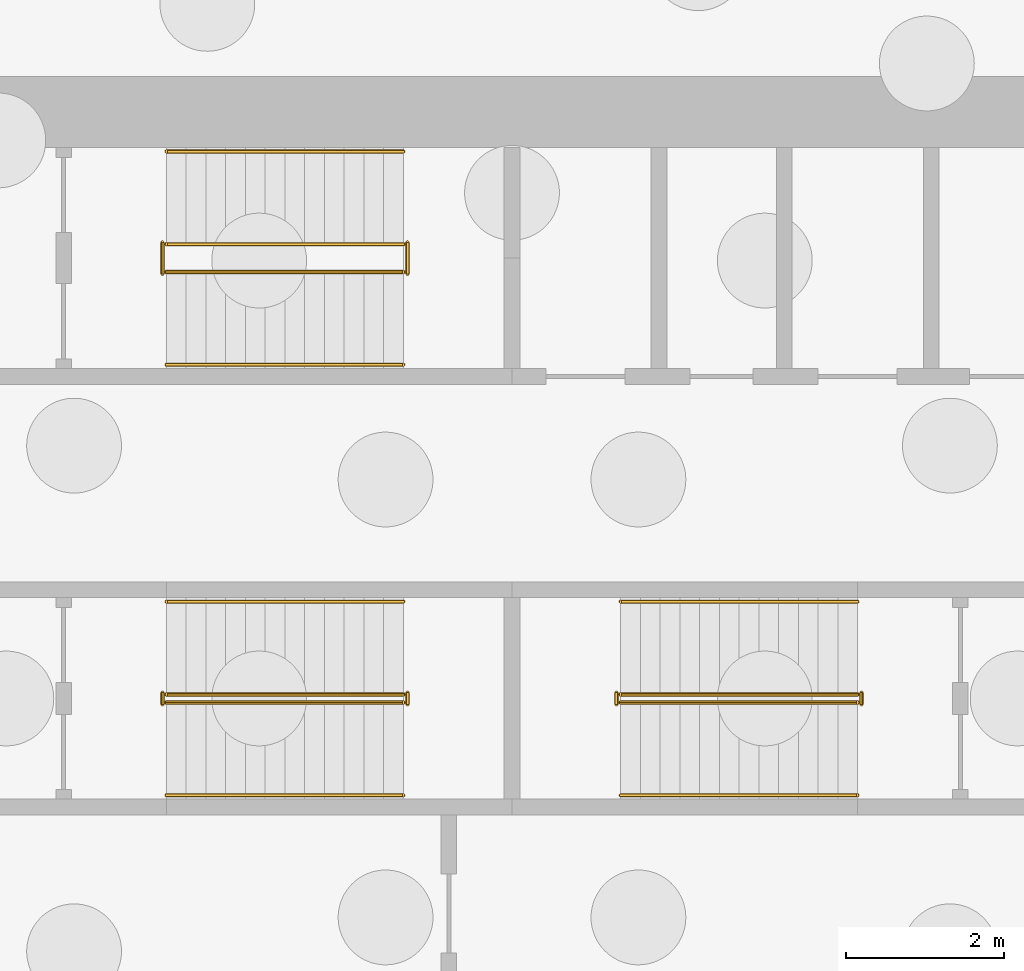
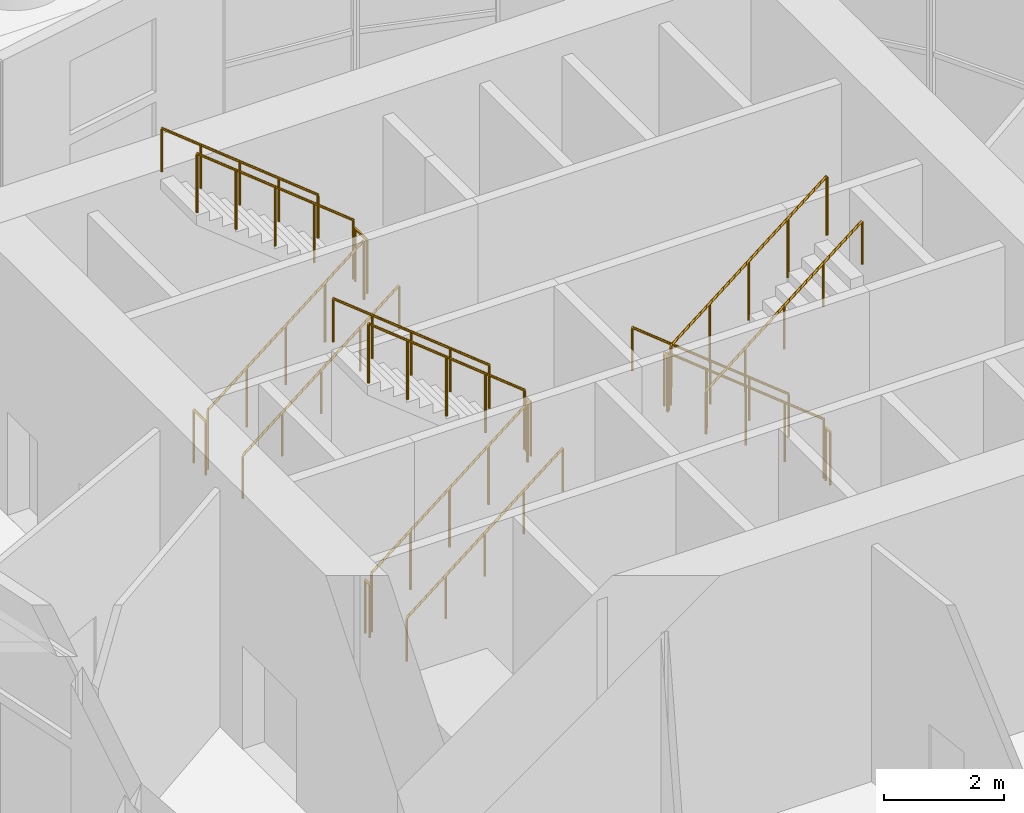
# One storey, part 9 of 10: 18 railings.
"""IFC4 building model written with IfcOpenShell, lengths in metres."""

from ifc_helpers import new_model, si_unit, direction, frame, origin, origin_2d, place, context, subcontext, project, spatial, circle, extrude, material, type_object, element, save


model = new_model("IFC4")

# Units and contexts
model_context = context("Model", 3, precision=1e-05, world=origin(), true_north=direction((0.0, 1.0)))
body_context = subcontext(model_context, "Body", "Model", "MODEL_VIEW")
ifc_project = project(units=[si_unit("LENGTHUNIT", "METRE"), si_unit("AREAUNIT", "SQUARE_METRE"), si_unit("VOLUMEUNIT", "CUBIC_METRE"), si_unit("PLANEANGLEUNIT", "RADIAN"), si_unit("MASSUNIT", "GRAM", prefix="KILO")], contexts=[model_context])

# Site, building, storey
site_placement = place(None, origin())
site = spatial("IfcSite", under=ifc_project, at=site_placement, CompositionType="ELEMENT")
building_placement = place(site_placement, origin())
building = spatial("IfcBuilding", under=site, at=building_placement, Name="Polderwave Tower", CompositionType="ELEMENT")
storey_placement = place(building_placement, origin())
storey = spatial("IfcBuildingStorey", under=building, at=storey_placement, Name="L00", CompositionType="ELEMENT", Elevation=0.0)

# Railings
ifc_material = material(Name="Stainless steel", Category="steel")
railing_type_1 = type_object("IfcRailingType", Name="Stair guard 1100", PredefinedType="GUARDRAIL", material=ifc_material)
railing_1_placement = place(storey_placement, frame((-4.3740234375, -0.051025390625, 0.079833984375)))
element("IfcRailing", 1, at=railing_1_placement, inside=storey, type_object=railing_type_1, Name="L00 ST-A stair guard 1", PredefinedType="GUARDRAIL", context=body_context, shape_type="SweptSolid", body=[
    extrude(circle(Radius=0.02392578125, at=origin_2d()), frame((0.0, 0.0, 1.1962890625), z_axis=(0.78085021034, 0.0, 0.624718295724), x_axis=(0.0, 1.0, 0.0)), (0.0, 0.0, 1.0), 3.842041015625),
    extrude(circle(Radius=0.02392578125, at=origin_2d()), origin(), (0.0, 0.0, 1.0), 1.172119140625),
    extrude(circle(Radius=0.02392578125, at=origin_2d()), frame((0.75, 0.0, 0.60009765625)), (0.0, 0.0, 1.0), 1.172119140625),
    extrude(circle(Radius=0.02392578125, at=origin_2d()), frame((1.5, 0.0, 1.2001953125)), (0.0, 0.0, 1.0), 1.172119140625),
    extrude(circle(Radius=0.02392578125, at=origin_2d()), frame((2.25, 0.0, 1.800048828125)), (0.0, 0.0, 1.0), 1.172119140625),
    extrude(circle(Radius=0.02392578125, at=origin_2d()), frame((3.0, 0.0, 2.400146484375)), (0.0, 0.0, 1.0), 1.172119140625),
])
railing_2_placement = place(storey_placement, frame((-1.323974609375, -0.074951171875, 2.60009765625)))
element("IfcRailing", 2, at=railing_2_placement, inside=storey, type_object=railing_type_1, Name="L00 ST-A stair guard 2", PredefinedType="GUARDRAIL", context=body_context, shape_type="SweptSolid", body=[
    extrude(circle(Radius=0.02392578125, at=origin_2d()), frame((0.0, 0.0, 1.076171875), z_axis=(0.0, 1.0, 0.0), x_axis=(-1.0, 0.0, 0.0)), (0.0, 0.0, 1.0), 0.14990234375),
    extrude(circle(Radius=0.02099609375, at=origin_2d()), origin(), (0.0, 0.0, 1.0), 1.052001953125),
    extrude(circle(Radius=0.02099609375, at=origin_2d()), frame((0.0, 0.14990234375, 0.0)), (0.0, 0.0, 1.0), 1.052001953125),
])
railing_3_placement = place(storey_placement, frame((-1.3740234375, 0.051025390625, 2.679931640625)))
element("IfcRailing", 3, at=railing_3_placement, inside=storey, type_object=railing_type_1, Name="L00 ST-A stair guard 3", PredefinedType="GUARDRAIL", context=body_context, shape_type="SweptSolid", body=[
    extrude(circle(Radius=0.02392578125, at=origin_2d()), frame((0.0, 0.0, 1.1962890625), z_axis=(-0.780881208953, 0.0, 0.624679547852), x_axis=(0.0, -1.0, 0.0)), (0.0, 0.0, 1.0), 3.841796875),
    extrude(circle(Radius=0.02392578125, at=origin_2d()), origin(), (0.0, 0.0, 1.0), 1.172119140625),
    extrude(circle(Radius=0.02392578125, at=origin_2d()), frame((-0.75, 0.0, 0.60009765625)), (0.0, 0.0, 1.0), 1.172119140625),
    extrude(circle(Radius=0.02392578125, at=origin_2d()), frame((-1.5, 0.0, 1.199951171875)), (0.0, 0.0, 1.0), 1.172119140625),
    extrude(circle(Radius=0.02392578125, at=origin_2d()), frame((-2.25, 0.0, 1.7998046875)), (0.0, 0.0, 1.0), 1.172119140625),
    extrude(circle(Radius=0.02392578125, at=origin_2d()), frame((-3.0, 0.0, 2.39990234375)), (0.0, 0.0, 1.0), 1.172119140625),
])
railing_4_placement = place(storey_placement, frame((-4.424072265625, -0.074951171875, 0.0)))
element("IfcRailing", 4, at=railing_4_placement, inside=storey, type_object=railing_type_1, Name="L00 ST-A stair guard 4", PredefinedType="GUARDRAIL", context=body_context, shape_type="SweptSolid", body=[
    extrude(circle(Radius=0.02392578125, at=origin_2d()), frame((0.0, 0.0, 1.076171875), z_axis=(0.0, 1.0, 0.0), x_axis=(-1.0, 0.0, 0.0)), (0.0, 0.0, 1.0), 0.14990234375),
    extrude(circle(Radius=0.02099609375, at=origin_2d()), origin(), (0.0, 0.0, 1.0), 1.052001953125),
    extrude(circle(Radius=0.02099609375, at=origin_2d()), frame((0.0, 0.14990234375, 0.0)), (0.0, 0.0, 1.0), 1.052001953125),
])
railing_5_placement = place(storey_placement, frame((4.3740234375, 0.051025390625, 0.079833984375)))
element("IfcRailing", 5, at=railing_5_placement, inside=storey, type_object=railing_type_1, Name="L00 ST-B stair guard 1", PredefinedType="GUARDRAIL", context=body_context, shape_type="SweptSolid", body=[
    extrude(circle(Radius=0.02392578125, at=origin_2d()), frame((0.0, 0.0, 1.1962890625), z_axis=(-0.78085021034, 0.0, 0.624718295724), x_axis=(0.0, -1.0, 0.0)), (0.0, 0.0, 1.0), 3.842041015625),
    extrude(circle(Radius=0.02392578125, at=origin_2d()), origin(), (0.0, 0.0, 1.0), 1.172119140625),
    extrude(circle(Radius=0.02392578125, at=origin_2d()), frame((-0.75, 0.0, 0.60009765625)), (0.0, 0.0, 1.0), 1.172119140625),
    extrude(circle(Radius=0.02392578125, at=origin_2d()), frame((-1.5, 0.0, 1.2001953125)), (0.0, 0.0, 1.0), 1.172119140625),
    extrude(circle(Radius=0.02392578125, at=origin_2d()), frame((-2.25, 0.0, 1.800048828125)), (0.0, 0.0, 1.0), 1.172119140625),
    extrude(circle(Radius=0.02392578125, at=origin_2d()), frame((-3.0, 0.0, 2.400146484375)), (0.0, 0.0, 1.0), 1.172119140625),
])
railing_6_placement = place(storey_placement, frame((1.323974609375, 0.074951171875, 2.60009765625)))
element("IfcRailing", 6, at=railing_6_placement, inside=storey, type_object=railing_type_1, Name="L00 ST-B stair guard 2", PredefinedType="GUARDRAIL", context=body_context, shape_type="SweptSolid", body=[
    extrude(circle(Radius=0.02392578125, at=origin_2d()), frame((0.0, 0.0, 1.076171875), z_axis=(0.0, -1.0, 0.0), x_axis=(1.0, 0.0, 0.0)), (0.0, 0.0, 1.0), 0.14990234375),
    extrude(circle(Radius=0.02099609375, at=origin_2d()), origin(), (0.0, 0.0, 1.0), 1.052001953125),
    extrude(circle(Radius=0.02099609375, at=origin_2d()), frame((0.0, -0.14990234375, 0.0)), (0.0, 0.0, 1.0), 1.052001953125),
])
railing_7_placement = place(storey_placement, frame((1.3740234375, -0.051025390625, 2.679931640625)))
element("IfcRailing", 7, at=railing_7_placement, inside=storey, type_object=railing_type_1, Name="L00 ST-B stair guard 3", PredefinedType="GUARDRAIL", context=body_context, shape_type="SweptSolid", body=[
    extrude(circle(Radius=0.02392578125, at=origin_2d()), frame((0.0, 0.0, 1.1962890625), z_axis=(0.780881208953, 0.0, 0.624679547852), x_axis=(0.0, 1.0, 0.0)), (0.0, 0.0, 1.0), 3.841796875),
    extrude(circle(Radius=0.02392578125, at=origin_2d()), origin(), (0.0, 0.0, 1.0), 1.172119140625),
    extrude(circle(Radius=0.02392578125, at=origin_2d()), frame((0.75, 0.0, 0.60009765625)), (0.0, 0.0, 1.0), 1.172119140625),
    extrude(circle(Radius=0.02392578125, at=origin_2d()), frame((1.5, 0.0, 1.199951171875)), (0.0, 0.0, 1.0), 1.172119140625),
    extrude(circle(Radius=0.02392578125, at=origin_2d()), frame((2.25, 0.0, 1.7998046875)), (0.0, 0.0, 1.0), 1.172119140625),
    extrude(circle(Radius=0.02392578125, at=origin_2d()), frame((3.0, 0.0, 2.39990234375)), (0.0, 0.0, 1.0), 1.172119140625),
])
railing_8_placement = place(storey_placement, frame((4.424072265625, 0.074951171875, 0.0)))
element("IfcRailing", 8, at=railing_8_placement, inside=storey, type_object=railing_type_1, Name="L00 ST-B stair guard 4", PredefinedType="GUARDRAIL", context=body_context, shape_type="SweptSolid", body=[
    extrude(circle(Radius=0.02392578125, at=origin_2d()), frame((0.0, 0.0, 1.076171875), z_axis=(0.0, -1.0, 0.0), x_axis=(1.0, 0.0, 0.0)), (0.0, 0.0, 1.0), 0.14990234375),
    extrude(circle(Radius=0.02099609375, at=origin_2d()), origin(), (0.0, 0.0, 1.0), 1.052001953125),
    extrude(circle(Radius=0.02099609375, at=origin_2d()), frame((0.0, -0.14990234375, 0.0)), (0.0, 0.0, 1.0), 1.052001953125),
])
railing_9_placement = place(storey_placement, frame((-4.3740234375, 5.39794921875, 0.079833984375)))
element("IfcRailing", 9, at=railing_9_placement, inside=storey, type_object=railing_type_1, Name="L00 ST-C stair guard 1", PredefinedType="GUARDRAIL", context=body_context, shape_type="SweptSolid", body=[
    extrude(circle(Radius=0.02392578125, at=origin_2d()), frame((0.0, 0.0, 1.1962890625), z_axis=(0.78085021034, 0.0, 0.624718295724), x_axis=(0.0, 1.0, 0.0)), (0.0, 0.0, 1.0), 3.842041015625),
    extrude(circle(Radius=0.02392578125, at=origin_2d()), origin(), (0.0, 0.0, 1.0), 1.172119140625),
    extrude(circle(Radius=0.02392578125, at=origin_2d()), frame((0.75, 0.0, 0.60009765625)), (0.0, 0.0, 1.0), 1.172119140625),
    extrude(circle(Radius=0.02392578125, at=origin_2d()), frame((1.5, 0.0, 1.2001953125)), (0.0, 0.0, 1.0), 1.172119140625),
    extrude(circle(Radius=0.02392578125, at=origin_2d()), frame((2.25, 0.0, 1.800048828125)), (0.0, 0.0, 1.0), 1.172119140625),
    extrude(circle(Radius=0.02392578125, at=origin_2d()), frame((3.0, 0.0, 2.400146484375)), (0.0, 0.0, 1.0), 1.172119140625),
])
railing_10_placement = place(storey_placement, frame((-1.323974609375, 5.3740234375, 2.60009765625)))
element("IfcRailing", 10, at=railing_10_placement, inside=storey, type_object=railing_type_1, Name="L00 ST-C stair guard 2", PredefinedType="GUARDRAIL", context=body_context, shape_type="SweptSolid", body=[
    extrude(circle(Radius=0.02392578125, at=origin_2d()), frame((0.0, 0.0, 1.076171875), z_axis=(0.0, 1.0, 0.0), x_axis=(-1.0, 0.0, 0.0)), (0.0, 0.0, 1.0), 0.39990234375),
    extrude(circle(Radius=0.02099609375, at=origin_2d()), origin(), (0.0, 0.0, 1.0), 1.052001953125),
    extrude(circle(Radius=0.02099609375, at=origin_2d()), frame((0.0, 0.39990234375, 0.0)), (0.0, 0.0, 1.0), 1.052001953125),
])
railing_11_placement = place(storey_placement, frame((-1.3740234375, 5.75, 2.679931640625)))
element("IfcRailing", 11, at=railing_11_placement, inside=storey, type_object=railing_type_1, Name="L00 ST-C stair guard 3", PredefinedType="GUARDRAIL", context=body_context, shape_type="SweptSolid", body=[
    extrude(circle(Radius=0.02392578125, at=origin_2d()), frame((0.0, 0.0, 1.1962890625), z_axis=(-0.780881208953, 0.0, 0.624679547852), x_axis=(0.0, -1.0, 0.0)), (0.0, 0.0, 1.0), 3.841796875),
    extrude(circle(Radius=0.02392578125, at=origin_2d()), origin(), (0.0, 0.0, 1.0), 1.172119140625),
    extrude(circle(Radius=0.02392578125, at=origin_2d()), frame((-0.75, 0.0, 0.60009765625)), (0.0, 0.0, 1.0), 1.172119140625),
    extrude(circle(Radius=0.02392578125, at=origin_2d()), frame((-1.5, 0.0, 1.199951171875)), (0.0, 0.0, 1.0), 1.172119140625),
    extrude(circle(Radius=0.02392578125, at=origin_2d()), frame((-2.25, 0.0, 1.7998046875)), (0.0, 0.0, 1.0), 1.172119140625),
    extrude(circle(Radius=0.02392578125, at=origin_2d()), frame((-3.0, 0.0, 2.39990234375)), (0.0, 0.0, 1.0), 1.172119140625),
])
railing_12_placement = place(storey_placement, frame((-4.424072265625, 5.3740234375, 0.0)))
element("IfcRailing", 12, at=railing_12_placement, inside=storey, type_object=railing_type_1, Name="L00 ST-C stair guard 4", PredefinedType="GUARDRAIL", context=body_context, shape_type="SweptSolid", body=[
    extrude(circle(Radius=0.02392578125, at=origin_2d()), frame((0.0, 0.0, 1.076171875), z_axis=(0.0, 1.0, 0.0), x_axis=(-1.0, 0.0, 0.0)), (0.0, 0.0, 1.0), 0.39990234375),
    extrude(circle(Radius=0.02099609375, at=origin_2d()), origin(), (0.0, 0.0, 1.0), 1.052001953125),
    extrude(circle(Radius=0.02099609375, at=origin_2d()), frame((0.0, 0.39990234375, 0.0)), (0.0, 0.0, 1.0), 1.052001953125),
])
railing_type_2 = type_object("IfcRailingType", Name="Stair handrail 900", PredefinedType="HANDRAIL", material=ifc_material)
railing_13_placement = place(storey_placement, frame((-4.3740234375, -1.22509765625, 0.199951171875)))
element("IfcRailing", 13, at=railing_13_placement, inside=storey, type_object=railing_type_2, Name="L00 ST-A stair handrail 1", PredefinedType="HANDRAIL", context=body_context, shape_type="SweptSolid", body=[
    extrude(circle(Radius=0.02392578125, at=origin_2d()), frame((0.0, 0.0, 0.8759765625), z_axis=(0.78085021034, 0.0, 0.624718295724), x_axis=(0.0, 1.0, 0.0)), (0.0, 0.0, 1.0), 3.842041015625),
    extrude(circle(Radius=0.02099609375, at=origin_2d()), origin(), (0.0, 0.0, 1.0), 0.851806640625),
    extrude(circle(Radius=0.02099609375, at=origin_2d()), frame((0.75, 0.0, 0.60009765625)), (0.0, 0.0, 1.0), 0.851806640625),
    extrude(circle(Radius=0.02099609375, at=origin_2d()), frame((1.5, 0.0, 1.2001953125)), (0.0, 0.0, 1.0), 0.851806640625),
    extrude(circle(Radius=0.02099609375, at=origin_2d()), frame((2.25, 0.0, 1.800048828125)), (0.0, 0.0, 1.0), 0.851806640625),
    extrude(circle(Radius=0.02099609375, at=origin_2d()), frame((3.0, 0.0, 2.400146484375)), (0.0, 0.0, 1.0), 0.851806640625),
])
railing_14_placement = place(storey_placement, frame((-1.3740234375, 1.22509765625, 2.800048828125)))
element("IfcRailing", 14, at=railing_14_placement, inside=storey, type_object=railing_type_2, Name="L00 ST-A stair handrail 2", PredefinedType="HANDRAIL", context=body_context, shape_type="SweptSolid", body=[
    extrude(circle(Radius=0.02392578125, at=origin_2d()), frame((0.0, 0.0, 0.8759765625), z_axis=(-0.780881208953, 0.0, 0.624679547852), x_axis=(0.0, -1.0, 0.0)), (0.0, 0.0, 1.0), 3.841796875),
    extrude(circle(Radius=0.02099609375, at=origin_2d()), origin(), (0.0, 0.0, 1.0), 0.851806640625),
    extrude(circle(Radius=0.02099609375, at=origin_2d()), frame((-0.75, 0.0, 0.60009765625)), (0.0, 0.0, 1.0), 0.851806640625),
    extrude(circle(Radius=0.02099609375, at=origin_2d()), frame((-1.5, 0.0, 1.199951171875)), (0.0, 0.0, 1.0), 0.851806640625),
    extrude(circle(Radius=0.02099609375, at=origin_2d()), frame((-2.25, 0.0, 1.7998046875)), (0.0, 0.0, 1.0), 0.851806640625),
    extrude(circle(Radius=0.02099609375, at=origin_2d()), frame((-3.0, 0.0, 2.39990234375)), (0.0, 0.0, 1.0), 0.851806640625),
])
railing_15_placement = place(storey_placement, frame((4.3740234375, 1.22509765625, 0.199951171875)))
element("IfcRailing", 15, at=railing_15_placement, inside=storey, type_object=railing_type_2, Name="L00 ST-B stair handrail 1", PredefinedType="HANDRAIL", context=body_context, shape_type="SweptSolid", body=[
    extrude(circle(Radius=0.02392578125, at=origin_2d()), frame((0.0, 0.0, 0.8759765625), z_axis=(-0.78085021034, 0.0, 0.624718295724), x_axis=(0.0, -1.0, 0.0)), (0.0, 0.0, 1.0), 3.842041015625),
    extrude(circle(Radius=0.02099609375, at=origin_2d()), origin(), (0.0, 0.0, 1.0), 0.851806640625),
    extrude(circle(Radius=0.02099609375, at=origin_2d()), frame((-0.75, 0.0, 0.60009765625)), (0.0, 0.0, 1.0), 0.851806640625),
    extrude(circle(Radius=0.02099609375, at=origin_2d()), frame((-1.5, 0.0, 1.2001953125)), (0.0, 0.0, 1.0), 0.851806640625),
    extrude(circle(Radius=0.02099609375, at=origin_2d()), frame((-2.25, 0.0, 1.800048828125)), (0.0, 0.0, 1.0), 0.851806640625),
    extrude(circle(Radius=0.02099609375, at=origin_2d()), frame((-3.0, 0.0, 2.400146484375)), (0.0, 0.0, 1.0), 0.851806640625),
])
railing_16_placement = place(storey_placement, frame((1.3740234375, -1.22509765625, 2.800048828125)))
element("IfcRailing", 16, at=railing_16_placement, inside=storey, type_object=railing_type_2, Name="L00 ST-B stair handrail 2", PredefinedType="HANDRAIL", context=body_context, shape_type="SweptSolid", body=[
    extrude(circle(Radius=0.02392578125, at=origin_2d()), frame((0.0, 0.0, 0.8759765625), z_axis=(0.780881208953, 0.0, 0.624679547852), x_axis=(0.0, 1.0, 0.0)), (0.0, 0.0, 1.0), 3.841796875),
    extrude(circle(Radius=0.02099609375, at=origin_2d()), origin(), (0.0, 0.0, 1.0), 0.851806640625),
    extrude(circle(Radius=0.02099609375, at=origin_2d()), frame((0.75, 0.0, 0.60009765625)), (0.0, 0.0, 1.0), 0.851806640625),
    extrude(circle(Radius=0.02099609375, at=origin_2d()), frame((1.5, 0.0, 1.199951171875)), (0.0, 0.0, 1.0), 0.851806640625),
    extrude(circle(Radius=0.02099609375, at=origin_2d()), frame((2.25, 0.0, 1.7998046875)), (0.0, 0.0, 1.0), 0.851806640625),
    extrude(circle(Radius=0.02099609375, at=origin_2d()), frame((3.0, 0.0, 2.39990234375)), (0.0, 0.0, 1.0), 0.851806640625),
])
railing_17_placement = place(storey_placement, frame((-4.3740234375, 4.22412109375, 0.199951171875)))
element("IfcRailing", 17, at=railing_17_placement, inside=storey, type_object=railing_type_2, Name="L00 ST-C stair handrail 1", PredefinedType="HANDRAIL", context=body_context, shape_type="SweptSolid", body=[
    extrude(circle(Radius=0.02392578125, at=origin_2d()), frame((0.0, 0.0, 0.8759765625), z_axis=(0.78085021034, 0.0, 0.624718295724), x_axis=(0.0, 1.0, 0.0)), (0.0, 0.0, 1.0), 3.842041015625),
    extrude(circle(Radius=0.02099609375, at=origin_2d()), origin(), (0.0, 0.0, 1.0), 0.851806640625),
    extrude(circle(Radius=0.02099609375, at=origin_2d()), frame((0.75, 0.0, 0.60009765625)), (0.0, 0.0, 1.0), 0.851806640625),
    extrude(circle(Radius=0.02099609375, at=origin_2d()), frame((1.5, 0.0, 1.2001953125)), (0.0, 0.0, 1.0), 0.851806640625),
    extrude(circle(Radius=0.02099609375, at=origin_2d()), frame((2.25, 0.0, 1.800048828125)), (0.0, 0.0, 1.0), 0.851806640625),
    extrude(circle(Radius=0.02099609375, at=origin_2d()), frame((3.0, 0.0, 2.400146484375)), (0.0, 0.0, 1.0), 0.851806640625),
])
railing_18_placement = place(storey_placement, frame((-1.3740234375, 6.924072265625, 2.800048828125)))
element("IfcRailing", 18, at=railing_18_placement, inside=storey, type_object=railing_type_2, Name="L00 ST-C stair handrail 2", PredefinedType="HANDRAIL", context=body_context, shape_type="SweptSolid", body=[
    extrude(circle(Radius=0.02392578125, at=origin_2d()), frame((0.0, 0.0, 0.8759765625), z_axis=(-0.780881208953, 0.0, 0.624679547852), x_axis=(0.0, -1.0, 0.0)), (0.0, 0.0, 1.0), 3.841796875),
    extrude(circle(Radius=0.02099609375, at=origin_2d()), origin(), (0.0, 0.0, 1.0), 0.851806640625),
    extrude(circle(Radius=0.02099609375, at=origin_2d()), frame((-0.75, 0.0, 0.60009765625)), (0.0, 0.0, 1.0), 0.851806640625),
    extrude(circle(Radius=0.02099609375, at=origin_2d()), frame((-1.5, 0.0, 1.199951171875)), (0.0, 0.0, 1.0), 0.851806640625),
    extrude(circle(Radius=0.02099609375, at=origin_2d()), frame((-2.25, 0.0, 1.7998046875)), (0.0, 0.0, 1.0), 0.851806640625),
    extrude(circle(Radius=0.02099609375, at=origin_2d()), frame((-3.0, 0.0, 2.39990234375)), (0.0, 0.0, 1.0), 0.851806640625),
])

save(model, "model.ifc")
